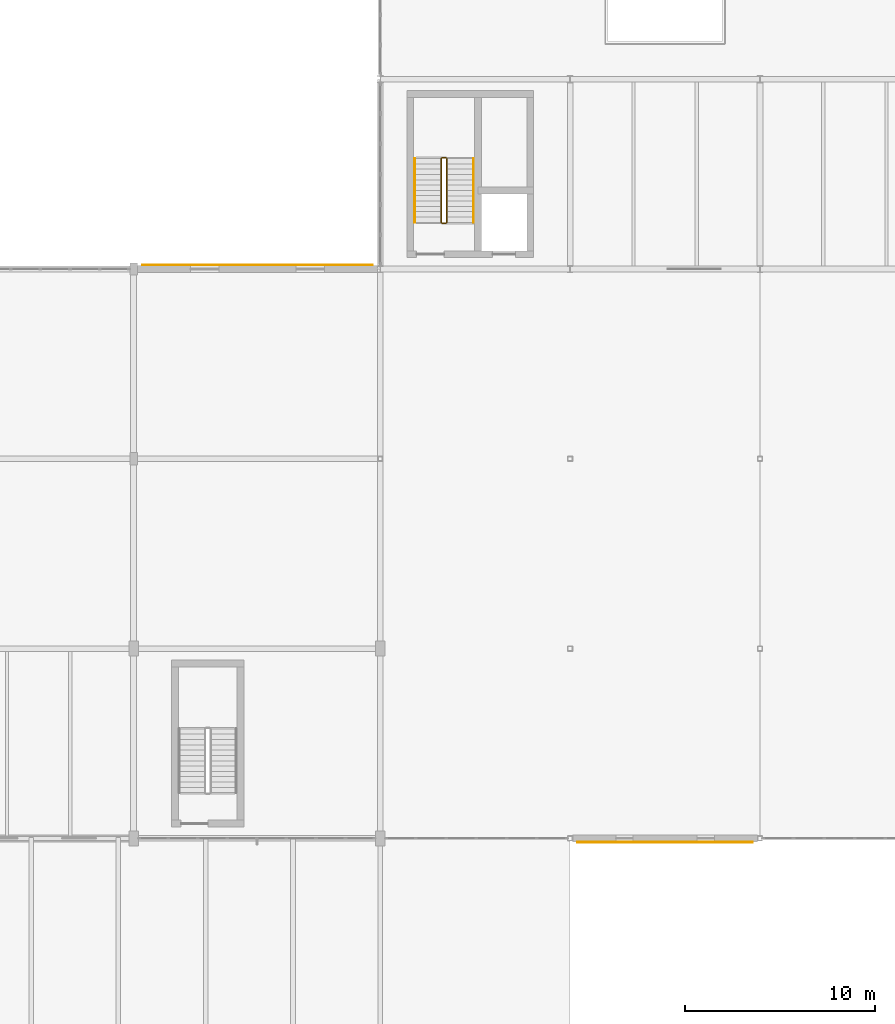
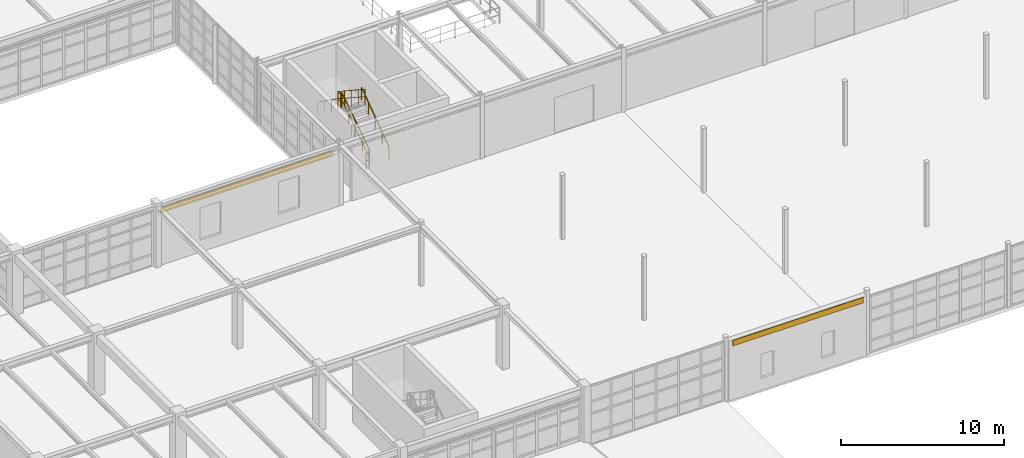
# One storey, part 128 of 139: 6 railings, 2 coverings.
"""IFC4 building model written with IfcOpenShell, lengths in metres."""

from ifc_helpers import new_model, si_unit, direction, frame, origin, origin_2d, place, context, subcontext, project, spatial, polyline, circle, outline, extrude, material, layer, layer_set, type_object, element, save


model = new_model("IFC4")

# Units and contexts
model_context = context("Model", 3, precision=1e-05, world=origin(), true_north=direction((0.0, 1.0)))
body_context = subcontext(model_context, "Body", "Model", "MODEL_VIEW")
ifc_project = project(units=[si_unit("LENGTHUNIT", "METRE"), si_unit("AREAUNIT", "SQUARE_METRE"), si_unit("VOLUMEUNIT", "CUBIC_METRE"), si_unit("PLANEANGLEUNIT", "RADIAN"), si_unit("MASSUNIT", "GRAM", prefix="KILO"), si_unit("THERMODYNAMICTEMPERATUREUNIT", "KELVIN"), si_unit("POWERUNIT", "WATT")], contexts=[model_context])

# Site, building, storey
site_placement = place(None, origin())
site = spatial("IfcSite", under=ifc_project, at=site_placement, CompositionType="ELEMENT")
building_placement = place(site_placement, origin())
building = spatial("IfcBuilding", under=site, at=building_placement, Name="Korenveer Ferry Terminal", CompositionType="ELEMENT")
storey_placement = place(building_placement, frame((0.0, 0.0, 5.39990234375)))
storey = spatial("IfcBuildingStorey", under=building, at=storey_placement, Name="L01", CompositionType="ELEMENT", Elevation=5.39990234375)

# Coverings
ifc_material_1 = material(Name="Carved Belgian bluestone spandrel cladding", Category="masonry")
ifc_layer = layer(ifc_material_1, 0.050048828125)
ifc_layer_set = layer_set([ifc_layer], Name="Carved Belgian bluestone spandrel cladding")
covering_type = type_object("IfcCoveringType", Name="ENV-COV-STONE", PredefinedType="CLADDING", material=ifc_layer_set)
covering_1_placement = place(storey_placement, frame((0.0, 0.0, 4.06005859375)))
element("IfcCovering", 1, at=covering_1_placement, inside=storey, type_object=covering_type, Name="Belgian bluestone spandrel band 14", PredefinedType="CLADDING", context=body_context, shape_type="SweptSolid", body=[
    extrude(outline(polyline([(63.375, 19.764892578125), (72.625, 19.764892578125), (72.625, 19.81494140625), (63.375, 19.81494140625), (63.375, 19.764892578125)])), origin(), (0.0, 0.0, 1.0), 0.419921875),
])
covering_2_placement = place(storey_placement, frame((0.0, 0.0, 3.60009765625)))
element("IfcCovering", 2, at=covering_2_placement, inside=storey, type_object=covering_type, Name="Belgian bluestone spandrel band 15", PredefinedType="CLADDING", context=body_context, shape_type="SweptSolid", body=[
    extrude(outline(polyline([(40.449951171875, 50.18505859375), (52.60009765625, 50.18505859375), (52.60009765625, 50.235107421875), (40.449951171875, 50.235107421875), (40.449951171875, 50.18505859375)])), origin(), (0.0, 0.0, 1.0), 0.419921875),
])

# Railings
ifc_material_2 = material(Name="Brushed stainless steel handrail", Category="steel")
railing_type_1 = type_object("IfcRailingType", Name="INT-RL-HND90", PredefinedType="HANDRAIL", material=ifc_material_2)
railing_1_placement = place(storey_placement, frame((57.909912109375, 52.4599609375, 0.184814453125)))
element("IfcRailing", 3, at=railing_1_placement, inside=storey, type_object=railing_type_1, Name="L01 ST05 stair handrail 1", PredefinedType="HANDRAIL", context=body_context, shape_type="SweptSolid", body=[
    extrude(circle(Radius=0.02392578125, at=origin_2d()), frame((0.0, 0.0, 0.8759765625), z_axis=(0.0, 0.813753445783, 0.581210228297), x_axis=(-1.0, 0.0, 0.0)), (0.0, 0.0, 1.0), 4.129150390625),
    extrude(circle(Radius=0.02099609375, at=origin_2d()), origin(), (0.0, 0.0, 1.0), 0.851806640625),
    extrude(circle(Radius=0.02099609375, at=origin_2d()), frame((0.0, 0.840087890625, 0.60009765625)), (0.0, 0.0, 1.0), 0.851806640625),
    extrude(circle(Radius=0.02099609375, at=origin_2d()), frame((0.0, 1.68017578125, 1.199951171875)), (0.0, 0.0, 1.0), 0.851806640625),
    extrude(circle(Radius=0.02099609375, at=origin_2d()), frame((0.0, 2.52001953125, 1.7998046875)), (0.0, 0.0, 1.0), 0.851806640625),
    extrude(circle(Radius=0.02099609375, at=origin_2d()), frame((0.0, 3.360107421875, 2.39990234375)), (0.0, 0.0, 1.0), 0.851806640625),
])
railing_2_placement = place(storey_placement, frame((54.81005859375, 55.820068359375, 2.584716796875)))
element("IfcRailing", 4, at=railing_2_placement, inside=storey, type_object=railing_type_1, Name="L01 ST05 stair handrail 2", PredefinedType="HANDRAIL", context=body_context, shape_type="SweptSolid", body=[
    extrude(circle(Radius=0.02392578125, at=origin_2d()), frame((0.0, 0.0, 0.8759765625), z_axis=(0.0, -0.813753445783, 0.581210228297), x_axis=(1.0, 0.0, 0.0)), (0.0, 0.0, 1.0), 4.129150390625),
    extrude(circle(Radius=0.02099609375, at=origin_2d()), origin(), (0.0, 0.0, 1.0), 0.851806640625),
    extrude(circle(Radius=0.02099609375, at=origin_2d()), frame((0.0, -0.840087890625, 0.60009765625)), (0.0, 0.0, 1.0), 0.851806640625),
    extrude(circle(Radius=0.02099609375, at=origin_2d()), frame((0.0, -1.68017578125, 1.199951171875)), (0.0, 0.0, 1.0), 0.851806640625),
    extrude(circle(Radius=0.02099609375, at=origin_2d()), frame((0.0, -2.52001953125, 1.7998046875)), (0.0, 0.0, 1.0), 0.851806640625),
    extrude(circle(Radius=0.02099609375, at=origin_2d()), frame((0.0, -3.360107421875, 2.39990234375)), (0.0, 0.0, 1.0), 0.851806640625),
])
ifc_material_3 = material(Name="Painted steel stair guard", Category="steel")
railing_type_2 = type_object("IfcRailingType", Name="INT-RL-STGRD", PredefinedType="GUARDRAIL", material=ifc_material_3)
railing_3_placement = place(storey_placement, frame((56.510009765625, 52.4599609375, 0.184814453125)))
element("IfcRailing", 5, at=railing_3_placement, inside=storey, type_object=railing_type_2, Name="L01 ST05 stair guard 1", PredefinedType="GUARDRAIL", context=body_context, shape_type="SweptSolid", body=[
    extrude(circle(Radius=0.02392578125, at=origin_2d()), frame((0.0, 0.0, 1.17578125), z_axis=(0.0, 0.834876476806, 0.550437342915), x_axis=(-1.0, 0.0, 0.0)), (0.0, 0.0, 1.0), 4.024658203125),
    extrude(circle(Radius=0.01806640625, at=origin_2d()), frame((0.0, 0.0, 0.6240234375), z_axis=(0.0, 0.834876476806, 0.550437342915), x_axis=(-1.0, 0.0, 0.0)), (0.0, 0.0, 1.0), 4.024658203125),
    extrude(circle(Radius=0.02099609375, at=origin_2d()), origin(), (0.0, 0.0, 1.0), 1.15185546875),
    extrude(circle(Radius=0.02099609375, at=origin_2d()), frame((0.0, 0.840087890625, 0.5537109375)), (0.0, 0.0, 1.0), 1.15185546875),
    extrude(circle(Radius=0.02099609375, at=origin_2d()), frame((0.0, 1.68017578125, 1.107666015625)), (0.0, 0.0, 1.0), 1.15185546875),
    extrude(circle(Radius=0.02099609375, at=origin_2d()), frame((0.0, 2.52001953125, 1.66162109375)), (0.0, 0.0, 1.0), 1.15185546875),
    extrude(circle(Radius=0.02099609375, at=origin_2d()), frame((0.0, 3.360107421875, 2.21533203125)), (0.0, 0.0, 1.0), 1.15185546875),
])
railing_4_placement = place(storey_placement, frame((56.4599609375, 55.8701171875, 2.400146484375)))
element("IfcRailing", 6, at=railing_4_placement, inside=storey, type_object=railing_type_2, Name="L01 ST05 stair guard 2", PredefinedType="GUARDRAIL", context=body_context, shape_type="SweptSolid", body=[
    extrude(circle(Radius=0.02392578125, at=origin_2d()), frame((0.0, 0.0, 1.17578125), z_axis=(-1.0, 0.0, 0.0), x_axis=(0.0, -1.0, 0.0)), (0.0, 0.0, 1.0), 0.199951171875),
    extrude(circle(Radius=0.01806640625, at=origin_2d()), frame((0.0, 0.0, 0.6240234375), z_axis=(-1.0, 0.0, 0.0), x_axis=(0.0, -1.0, 0.0)), (0.0, 0.0, 1.0), 0.199951171875),
    extrude(circle(Radius=0.02099609375, at=origin_2d()), origin(), (0.0, 0.0, 1.0), 1.15185546875),
    extrude(circle(Radius=0.02099609375, at=origin_2d()), frame((-0.199951171875, 0.0, 0.0)), (0.0, 0.0, 1.0), 1.15185546875),
])
railing_5_placement = place(storey_placement, frame((56.2099609375, 55.820068359375, 2.584716796875)))
element("IfcRailing", 7, at=railing_5_placement, inside=storey, type_object=railing_type_2, Name="L01 ST05 stair guard 3", PredefinedType="GUARDRAIL", context=body_context, shape_type="SweptSolid", body=[
    extrude(circle(Radius=0.02392578125, at=origin_2d()), frame((0.0, 0.0, 1.17578125), z_axis=(0.0, -0.834876476806, 0.550437342915), x_axis=(1.0, 0.0, 0.0)), (0.0, 0.0, 1.0), 4.024658203125),
    extrude(circle(Radius=0.01806640625, at=origin_2d()), frame((0.0, 0.0, 0.6240234375), z_axis=(0.0, -0.834876476806, 0.550437342915), x_axis=(1.0, 0.0, 0.0)), (0.0, 0.0, 1.0), 4.024658203125),
    extrude(circle(Radius=0.02099609375, at=origin_2d()), origin(), (0.0, 0.0, 1.0), 1.15185546875),
    extrude(circle(Radius=0.02099609375, at=origin_2d()), frame((0.0, -0.840087890625, 0.5537109375)), (0.0, 0.0, 1.0), 1.15185546875),
    extrude(circle(Radius=0.02099609375, at=origin_2d()), frame((0.0, -1.68017578125, 1.107666015625)), (0.0, 0.0, 1.0), 1.15185546875),
    extrude(circle(Radius=0.02099609375, at=origin_2d()), frame((0.0, -2.52001953125, 1.66162109375)), (0.0, 0.0, 1.0), 1.15185546875),
    extrude(circle(Radius=0.02099609375, at=origin_2d()), frame((0.0, -3.360107421875, 2.21533203125)), (0.0, 0.0, 1.0), 1.15185546875),
])
railing_6_placement = place(storey_placement, frame((56.4599609375, 52.409912109375, 0.0)))
element("IfcRailing", 8, at=railing_6_placement, inside=storey, type_object=railing_type_2, Name="L01 ST05 stair guard 4", PredefinedType="GUARDRAIL", context=body_context, shape_type="SweptSolid", body=[
    extrude(circle(Radius=0.02392578125, at=origin_2d()), frame((0.0, 0.0, 1.17578125), z_axis=(-1.0, 0.0, 0.0), x_axis=(0.0, -1.0, 0.0)), (0.0, 0.0, 1.0), 0.199951171875),
    extrude(circle(Radius=0.01806640625, at=origin_2d()), frame((0.0, 0.0, 0.6240234375), z_axis=(-1.0, 0.0, 0.0), x_axis=(0.0, -1.0, 0.0)), (0.0, 0.0, 1.0), 0.199951171875),
    extrude(circle(Radius=0.02099609375, at=origin_2d()), origin(), (0.0, 0.0, 1.0), 1.15185546875),
    extrude(circle(Radius=0.02099609375, at=origin_2d()), frame((-0.199951171875, 0.0, 0.0)), (0.0, 0.0, 1.0), 1.15185546875),
])

save(model, "model.ifc")
